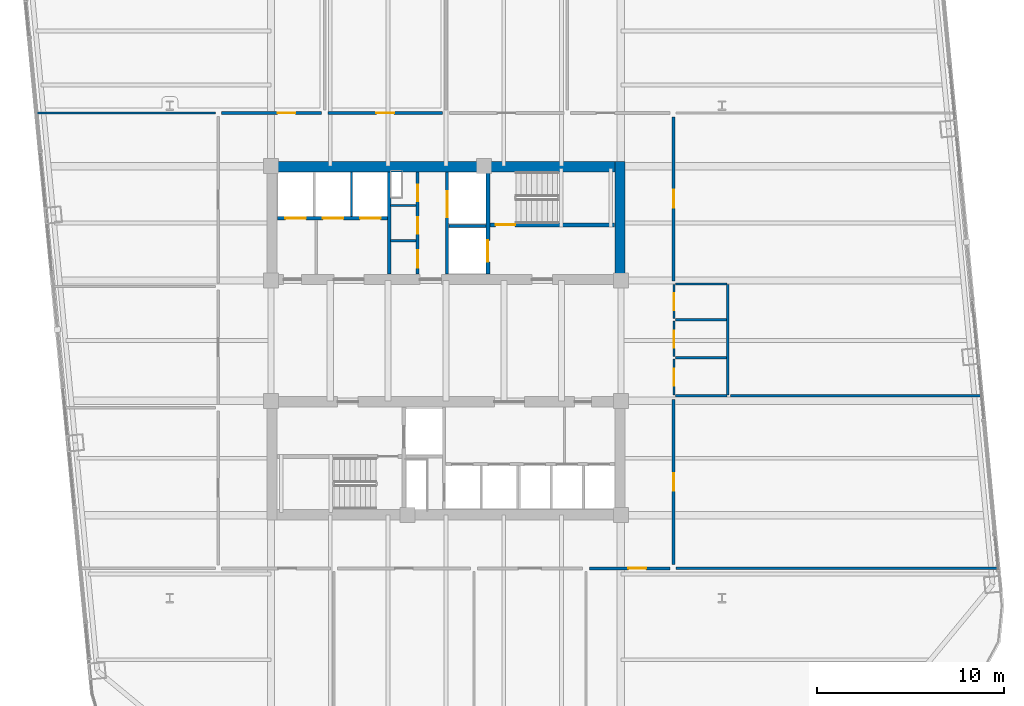
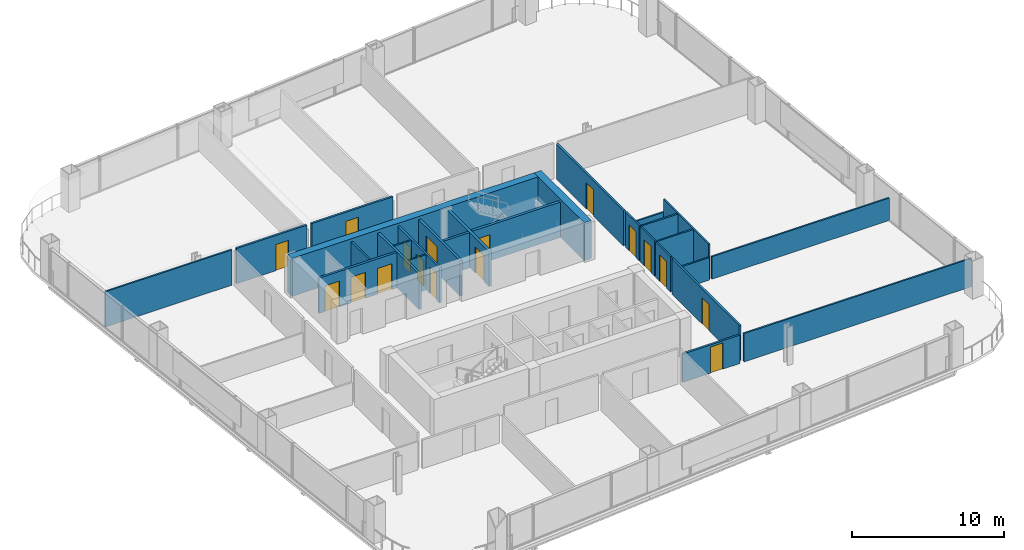
# One storey, part 24 of 28: 28 walls, 17 doors, 17 openings.
"""IFC4 building model written with IfcOpenShell, lengths in metres."""

from ifc_helpers import new_model, si_unit, direction, frame, frame_2d, origin, place, context, subcontext, project, spatial, rectangle, extrude, material, layer, layer_set, type_object, element, fill, save


model = new_model("IFC4")

# Units and contexts
model_context = context("Model", 3, precision=1e-05, world=origin(), true_north=direction((0.0, 1.0)))
body_context = subcontext(model_context, "Body", "Model", "MODEL_VIEW")
ifc_project = project(units=[si_unit("LENGTHUNIT", "METRE"), si_unit("AREAUNIT", "SQUARE_METRE"), si_unit("VOLUMEUNIT", "CUBIC_METRE"), si_unit("PLANEANGLEUNIT", "RADIAN"), si_unit("MASSUNIT", "GRAM", prefix="KILO")], contexts=[model_context])

# Site, building, storey
site_placement = place(None, origin())
site = spatial("IfcSite", under=ifc_project, at=site_placement, CompositionType="ELEMENT")
building_placement = place(site_placement, origin())
building = spatial("IfcBuilding", under=site, at=building_placement, Name="Qhalaya Broadcast Tower", CompositionType="ELEMENT")
storey_placement = place(building_placement, frame((0.0, 0.0, 90.800048828125)))
storey = spatial("IfcBuildingStorey", under=building, at=storey_placement, Name="L26", CompositionType="ELEMENT", Elevation=90.800048828125)

# Wall, openings, doors
ifc_material_1 = material(Name="Gypsum Acoustic Partition")
ifc_layer_1 = layer(ifc_material_1, 0.14990234375, Name="Gypsum Acoustic Partition")
ifc_layer_set_1 = layer_set([ifc_layer_1], Name="Gypsum Acoustic Partition")
wall_type_1 = type_object("IfcWallType", Name="Corridor & Tenancy Acoustic Partition 150", PredefinedType="PARTITIONING", material=ifc_layer_set_1)
wall_1_placement = place(storey_placement, frame((-1.52001953125, 4.169921875, 0.0), z_axis=(0.0, 0.0, 1.0), x_axis=(0.0, 1.0, 0.0)))
wall_1 = element("IfcWall", 1, at=wall_1_placement, inside=storey, type_object=wall_type_1, Name="L26 Partition Wall NCW-SVL", PredefinedType="PARTITIONING", context=body_context, shape_type="SweptSolid", body=[
    extrude(rectangle(XDim=5.4599609375, YDim=0.14990234375, at=frame_2d((2.72998046875, 0.0))), origin(), (0.0, 0.0, 1.0), 2.829833984375),
])
opening_1_placement = place(wall_1_placement, frame((3.89990234375, 0.0, 0.0)))
opening_1 = element("IfcOpeningElement", 2, at=opening_1_placement, cuts=wall_1, Name="Opening D06", PredefinedType="OPENING", context=body_context, shape_type="SweptSolid", body=[
    extrude(rectangle(XDim=0.89990234375, YDim=2.050048828125, at=frame_2d((0.449951171875, 1.02490234375))), frame((0.0, 0.0869140625, 0.0), z_axis=(0.0, -1.0, 0.0), x_axis=(1.0, 0.0, 0.0)), (0.0, 0.0, 1.0), 0.173828125),
])
opening_2_placement = place(wall_1_placement, frame((2.14990234375, 0.0, 0.0)))
opening_2 = element("IfcOpeningElement", 3, at=opening_2_placement, cuts=wall_1, Name="Opening D06", PredefinedType="OPENING", context=body_context, shape_type="SweptSolid", body=[
    extrude(rectangle(XDim=0.89990234375, YDim=2.050048828125, at=frame_2d((0.449951171875, 1.02490234375))), frame((0.0, 0.0869140625, 0.0), z_axis=(0.0, -1.0, 0.0), x_axis=(1.0, 0.0, 0.0)), (0.0, 0.0, 1.0), 0.173828125),
])
opening_3_placement = place(wall_1_placement, frame((0.35009765625, 0.0, 0.0)))
opening_3 = element("IfcOpeningElement", 4, at=opening_3_placement, cuts=wall_1, Name="Opening D12", PredefinedType="OPENING", context=body_context, shape_type="SweptSolid", body=[
    extrude(rectangle(XDim=0.919921875, YDim=2.10009765625, at=frame_2d((0.4599609375, 1.050048828125))), frame((0.0, 0.0869140625, 0.0), z_axis=(0.0, -1.0, 0.0), x_axis=(1.0, 0.0, 0.0)), (0.0, 0.0, 1.0), 0.173828125),
])
ifc_material_2 = material(Name="Timber Veneer Acoustic Door", Category="wood")
door_type_1 = type_object("IfcDoorType", Name="Accessible WC & Restroom Door D12", OperationType="NOTDEFINED", PredefinedType="DOOR", material=ifc_material_2)
door_1_placement = place(opening_3_placement, origin())
door_1 = element("IfcDoor", 5, at=door_1_placement, inside=storey, type_object=door_type_1, Name="L26 Door D-NCWC", OperationType="SINGLE_SWING_RIGHT", OverallHeight=2.10009765625, OverallWidth=0.919921875, PredefinedType="DOOR", context=body_context, shape_type="SweptSolid", body=[
    extrude(rectangle(XDim=0.919921875, YDim=2.10009765625, at=frame_2d((0.4599609375, 1.050048828125))), frame((0.0, 0.02490234375, 0.0), z_axis=(0.0, -1.0, 0.0), x_axis=(1.0, 0.0, 0.0)), (0.0, 0.0, 1.0), 0.050048828125),
])
fill(opening_3, door_1)
ifc_material_3 = material(Name="Fire-Rated Steel Door", Category="steel")
door_type_2 = type_object("IfcDoorType", Name="Riser & Electrical Shaft Access Door D06", OperationType="NOTDEFINED", PredefinedType="DOOR", material=ifc_material_3)
door_2_placement = place(opening_1_placement, origin())
door_2 = element("IfcDoor", 6, at=door_2_placement, inside=storey, type_object=door_type_2, Name="L26 Riser Shaft Access Door D-NRSR", OperationType="SINGLE_SWING_RIGHT", OverallHeight=2.050048828125, OverallWidth=0.89990234375, PredefinedType="DOOR", context=body_context, shape_type="SweptSolid", body=[
    extrude(rectangle(XDim=0.89990234375, YDim=2.050048828125, at=frame_2d((0.449951171875, 1.02490234375))), frame((0.0, 0.02490234375, 0.0), z_axis=(0.0, -1.0, 0.0), x_axis=(1.0, 0.0, 0.0)), (0.0, 0.0, 1.0), 0.050048828125),
])
fill(opening_1, door_2)
door_3_placement = place(opening_2_placement, origin())
door_3 = element("IfcDoor", 7, at=door_3_placement, inside=storey, type_object=door_type_2, Name="L26 Door D-NITR", OperationType="SINGLE_SWING_LEFT", OverallHeight=2.050048828125, OverallWidth=0.89990234375, PredefinedType="DOOR", context=body_context, shape_type="SweptSolid", body=[
    extrude(rectangle(XDim=0.89990234375, YDim=2.050048828125, at=frame_2d((0.449951171875, 1.02490234375))), frame((0.0, 0.02490234375, 0.0), z_axis=(0.0, -1.0, 0.0), x_axis=(1.0, 0.0, 0.0)), (0.0, 0.0, 1.0), 0.050048828125),
])
fill(opening_2, door_3)

# Wall, opening, door
wall_2_placement = place(storey_placement, frame((-12.02001953125, 12.800048828125, 0.0), z_axis=(0.0, 0.0, 1.0), x_axis=(1.0, 0.0, 0.0)))
wall_2 = element("IfcWall", 8, at=wall_2_placement, inside=storey, type_object=wall_type_1, Name="L26 Partition Wall W-COR-01", PredefinedType="PARTITIONING", context=body_context, shape_type="SweptSolid", body=[
    extrude(rectangle(XDim=5.340087890625, YDim=0.14990234375, at=frame_2d((2.669921875, 0.0))), origin(), (0.0, 0.0, 1.0), 2.829833984375),
])
opening_4_placement = place(wall_2_placement, frame((2.9951171875, 0.0, 0.0)))
opening_4 = element("IfcOpeningElement", 9, at=opening_4_placement, cuts=wall_2, Name="Opening D10", PredefinedType="OPENING", context=body_context, shape_type="SweptSolid", body=[
    extrude(rectangle(XDim=0.949951171875, YDim=2.10009765625, at=frame_2d((0.47509765625, 1.050048828125))), frame((0.0, 0.0869140625, 0.0), z_axis=(0.0, -1.0, 0.0), x_axis=(1.0, 0.0, 0.0)), (0.0, 0.0, 1.0), 0.173828125),
])
door_type_3 = type_object("IfcDoorType", Name="Cellular Office & Edit Booth Door D10", OperationType="NOTDEFINED", PredefinedType="DOOR", material=ifc_material_2)
door_4_placement = place(opening_4_placement, origin())
door_4 = element("IfcDoor", 10, at=door_4_placement, inside=storey, type_object=door_type_3, Name="L26 Door D-RM01", OperationType="SINGLE_SWING_RIGHT", OverallHeight=2.10009765625, OverallWidth=0.949951171875, PredefinedType="DOOR", context=body_context, shape_type="SweptSolid", body=[
    extrude(rectangle(XDim=0.949951171875, YDim=2.10009765625, at=frame_2d((0.47509765625, 1.050048828125))), frame((0.0, 0.02490234375, 0.0), z_axis=(0.0, -1.0, 0.0), x_axis=(1.0, 0.0, 0.0)), (0.0, 0.0, 1.0), 0.050048828125),
])
fill(opening_4, door_4)

wall_3_placement = place(storey_placement, frame((-6.320068359375, 12.800048828125, 0.0), z_axis=(0.0, 0.0, 1.0), x_axis=(1.0, 0.0, 0.0)))
wall_3 = element("IfcWall", 11, at=wall_3_placement, inside=storey, type_object=wall_type_1, Name="L26 Partition Wall W-COR-02", PredefinedType="PARTITIONING", context=body_context, shape_type="SweptSolid", body=[
    extrude(rectangle(XDim=6.14013671875, YDim=0.14990234375, at=frame_2d((3.070068359375, 0.0))), origin(), (0.0, 0.0, 1.0), 2.829833984375),
])
opening_5_placement = place(wall_3_placement, frame((2.594970703125, 0.0, 0.0)))
opening_5 = element("IfcOpeningElement", 12, at=opening_5_placement, cuts=wall_3, Name="Opening D10", PredefinedType="OPENING", context=body_context, shape_type="SweptSolid", body=[
    extrude(rectangle(XDim=0.949951171875, YDim=2.10009765625, at=frame_2d((0.47509765625, 1.050048828125))), frame((0.0, 0.0869140625, 0.0), z_axis=(0.0, -1.0, 0.0), x_axis=(1.0, 0.0, 0.0)), (0.0, 0.0, 1.0), 0.173828125),
])
door_5_placement = place(opening_5_placement, origin())
door_5 = element("IfcDoor", 13, at=door_5_placement, inside=storey, type_object=door_type_3, Name="L26 Door D-RM02", OperationType="SINGLE_SWING_LEFT", OverallHeight=2.10009765625, OverallWidth=0.949951171875, PredefinedType="DOOR", context=body_context, shape_type="SweptSolid", body=[
    extrude(rectangle(XDim=0.949951171875, YDim=2.10009765625, at=frame_2d((0.47509765625, 1.050048828125))), frame((0.0, 0.02490234375, 0.0), z_axis=(0.0, -1.0, 0.0), x_axis=(1.0, 0.0, 0.0)), (0.0, 0.0, 1.0), 0.050048828125),
])
fill(opening_5, door_5)

wall_4_placement = place(storey_placement, frame((7.679931640625, -11.60009765625, 0.0), z_axis=(0.0, 0.0, 1.0), x_axis=(1.0, 0.0, 0.0)))
wall_4 = element("IfcWall", 14, at=wall_4_placement, inside=storey, type_object=wall_type_1, Name="L26 Partition Wall W-COR-08", PredefinedType="PARTITIONING", context=body_context, shape_type="SweptSolid", body=[
    extrude(rectangle(XDim=4.340087890625, YDim=0.14990234375, at=frame_2d((2.169921875, 0.0))), origin(), (0.0, 0.0, 1.0), 2.27392578125),
])
opening_6_placement = place(wall_4_placement, frame((2.094970703125, 0.0, 0.0)))
opening_6 = element("IfcOpeningElement", 15, at=opening_6_placement, cuts=wall_4, Name="Opening D10", PredefinedType="OPENING", context=body_context, shape_type="SweptSolid", body=[
    extrude(rectangle(XDim=0.949951171875, YDim=2.10009765625, at=frame_2d((0.47509765625, 1.050048828125))), frame((0.0, 0.0869140625, 0.0), z_axis=(0.0, -1.0, 0.0), x_axis=(1.0, 0.0, 0.0)), (0.0, 0.0, 1.0), 0.173828125),
])
door_6_placement = place(opening_6_placement, origin())
door_6 = element("IfcDoor", 16, at=door_6_placement, inside=storey, type_object=door_type_3, Name="L26 Door D-RM08", OperationType="SINGLE_SWING_LEFT", OverallHeight=2.10009765625, OverallWidth=0.949951171875, PredefinedType="DOOR", context=body_context, shape_type="SweptSolid", body=[
    extrude(rectangle(XDim=0.949951171875, YDim=2.10009765625, at=frame_2d((0.47509765625, 1.050048828125))), frame((0.0, 0.02490234375, 0.0), z_axis=(0.0, -1.0, 0.0), x_axis=(1.0, 0.0, 0.0)), (0.0, 0.0, 1.0), 0.050048828125),
])
fill(opening_6, door_6)

wall_5_placement = place(storey_placement, frame((12.199951171875, -11.39990234375, 0.0), z_axis=(0.0, 0.0, 1.0), x_axis=(0.0, 1.0, 0.0)))
wall_5 = element("IfcWall", 17, at=wall_5_placement, inside=storey, type_object=wall_type_1, Name="L26 Partition Wall W-COR-12", PredefinedType="PARTITIONING", context=body_context, shape_type="SweptSolid", body=[
    extrude(rectangle(XDim=8.83984375, YDim=0.14990234375, at=frame_2d((4.419921875, 0.0))), origin(), (0.0, 0.0, 1.0), 2.829833984375),
])
opening_7_placement = place(wall_5_placement, frame((3.945068359375, 0.0, 0.0)))
opening_7 = element("IfcOpeningElement", 18, at=opening_7_placement, cuts=wall_5, Name="Opening D10", PredefinedType="OPENING", context=body_context, shape_type="SweptSolid", body=[
    extrude(rectangle(XDim=0.949951171875, YDim=2.10009765625, at=frame_2d((0.47509765625, 1.050048828125))), frame((0.0, 0.0869140625, 0.0), z_axis=(0.0, -1.0, 0.0), x_axis=(1.0, 0.0, 0.0)), (0.0, 0.0, 1.0), 0.173828125),
])
door_7_placement = place(opening_7_placement, origin())
door_7 = element("IfcDoor", 19, at=door_7_placement, inside=storey, type_object=door_type_3, Name="L26 Door D-RM12", OperationType="SINGLE_SWING_LEFT", OverallHeight=2.10009765625, OverallWidth=0.949951171875, PredefinedType="DOOR", context=body_context, shape_type="SweptSolid", body=[
    extrude(rectangle(XDim=0.949951171875, YDim=2.10009765625, at=frame_2d((0.47509765625, 1.050048828125))), frame((0.0, 0.02490234375, 0.0), z_axis=(0.0, -1.0, 0.0), x_axis=(1.0, 0.0, 0.0)), (0.0, 0.0, 1.0), 0.050048828125),
])
fill(opening_7, door_7)

wall_6_placement = place(storey_placement, frame((12.199951171875, 3.800048828125, 0.0), z_axis=(0.0, 0.0, 1.0), x_axis=(0.0, 1.0, 0.0)))
wall_6 = element("IfcWall", 20, at=wall_6_placement, inside=storey, type_object=wall_type_1, Name="L26 Partition Wall W-COR-13", PredefinedType="PARTITIONING", context=body_context, shape_type="SweptSolid", body=[
    extrude(rectangle(XDim=8.800048828125, YDim=0.14990234375, at=frame_2d((4.39990234375, 0.0))), origin(), (0.0, 0.0, 1.0), 2.829833984375),
])
opening_8_placement = place(wall_6_placement, frame((3.925048828125, 0.0, 0.0)))
opening_8 = element("IfcOpeningElement", 21, at=opening_8_placement, cuts=wall_6, Name="Opening D10", PredefinedType="OPENING", context=body_context, shape_type="SweptSolid", body=[
    extrude(rectangle(XDim=0.949951171875, YDim=2.10009765625, at=frame_2d((0.47509765625, 1.050048828125))), frame((0.0, 0.0869140625, 0.0), z_axis=(0.0, -1.0, 0.0), x_axis=(1.0, 0.0, 0.0)), (0.0, 0.0, 1.0), 0.173828125),
])
door_8_placement = place(opening_8_placement, origin())
door_8 = element("IfcDoor", 22, at=door_8_placement, inside=storey, type_object=door_type_3, Name="L26 Door D-RM13", OperationType="SINGLE_SWING_RIGHT", OverallHeight=2.10009765625, OverallWidth=0.949951171875, PredefinedType="DOOR", context=body_context, shape_type="SweptSolid", body=[
    extrude(rectangle(XDim=0.949951171875, YDim=2.10009765625, at=frame_2d((0.47509765625, 1.050048828125))), frame((0.0, 0.02490234375, 0.0), z_axis=(0.0, -1.0, 0.0), x_axis=(1.0, 0.0, 0.0)), (0.0, 0.0, 1.0), 0.050048828125),
])
fill(opening_8, door_8)

ifc_material_4 = material(Name="Concrete C50/60", Category="concrete")
ifc_layer_2 = layer(ifc_material_4, 0.199951171875, Name="Concrete C50/60")
ifc_layer_set_2 = layer_set([ifc_layer_2], Name="Concrete C50/60")
wall_type_2 = type_object("IfcWallType", Name="Load-Bearing Stair Shaft Wall 200", PredefinedType="SHEAR", material=ifc_layer_set_2)
wall_7_placement = place(storey_placement, frame((2.360107421875, 6.804931640625, 0.0), z_axis=(0.0, 0.0, 1.0), x_axis=(1.0, 0.0, 0.0)))
wall_7 = element("IfcWall", 23, at=wall_7_placement, inside=storey, type_object=wall_type_2, Name="L26 Stair Core Shear Wall NCW-ST1", PredefinedType="SHEAR", context=body_context, shape_type="SweptSolid", body=[
    extrude(rectangle(XDim=6.669921875, YDim=0.199951171875, at=frame_2d((3.3349609375, 0.0))), origin(), (0.0, 0.0, 1.0), 2.829833984375),
])
opening_9_placement = place(wall_7_placement, frame((0.300048828125, 0.0, 0.0)))
opening_9 = element("IfcOpeningElement", 24, at=opening_9_placement, cuts=wall_7, Name="Opening D03", PredefinedType="OPENING", context=body_context, shape_type="SweptSolid", body=[
    extrude(rectangle(XDim=1.050048828125, YDim=2.080078125, at=frame_2d((0.52490234375, 1.0400390625))), frame((0.0, 0.112060546875, 0.0), z_axis=(0.0, -1.0, 0.0), x_axis=(1.0, 0.0, 0.0)), (0.0, 0.0, 1.0), 0.223876953125),
])
door_type_4 = type_object("IfcDoorType", Name="Core Stair Protected Fire Door D03", OperationType="NOTDEFINED", PredefinedType="DOOR", material=ifc_material_3)
door_9_placement = place(opening_9_placement, origin())
door_9 = element("IfcDoor", 25, at=door_9_placement, inside=storey, type_object=door_type_4, Name="L26 Door D-NST1", OperationType="SINGLE_SWING_LEFT", OverallHeight=2.080078125, OverallWidth=1.050048828125, PredefinedType="DOOR", context=body_context, shape_type="SweptSolid", body=[
    extrude(rectangle(XDim=1.050048828125, YDim=2.080078125, at=frame_2d((0.52490234375, 1.0400390625))), frame((0.0, 0.02490234375, 0.0), z_axis=(0.0, -1.0, 0.0), x_axis=(1.0, 0.0, 0.0)), (0.0, 0.0, 1.0), 0.050048828125),
])
fill(opening_9, door_9)

wall_8_placement = place(storey_placement, frame((2.25, 4.169921875, 0.0), z_axis=(0.0, 0.0, 1.0), x_axis=(0.0, 1.0, 0.0)))
wall_8 = element("IfcWall", 26, at=wall_8_placement, inside=storey, type_object=wall_type_2, Name="L26 Stair Core Shear Wall NCW-FF", PredefinedType="SHEAR", context=body_context, shape_type="SweptSolid", body=[
    extrude(rectangle(XDim=5.4599609375, YDim=0.199951171875, at=frame_2d((2.72998046875, 0.0))), origin(), (0.0, 0.0, 1.0), 2.829833984375),
])
opening_10_placement = place(wall_8_placement, frame((0.64990234375, 0.0, 0.0)))
opening_10 = element("IfcOpeningElement", 27, at=opening_10_placement, cuts=wall_8, Name="Opening LD2", PredefinedType="OPENING", context=body_context, shape_type="SweptSolid", body=[
    extrude(rectangle(XDim=1.14990234375, YDim=2.080078125, at=frame_2d((0.574951171875, 1.0400390625))), frame((0.0, 0.112060546875, 0.0), z_axis=(0.0, -1.0, 0.0), x_axis=(1.0, 0.0, 0.0)), (0.0, 0.0, 1.0), 0.223876953125),
])
ifc_material_5 = material(Name="Brushed Stainless Steel Lift Door", Category="steel")
door_type_5 = type_object("IfcDoorType", Name="Firefighting Lift Sliding Landing Door LD2", OperationType="DOUBLE_DOOR_SLIDING", PredefinedType="DOOR", material=ifc_material_5)
door_10_placement = place(opening_10_placement, origin())
door_10 = element("IfcDoor", 28, at=door_10_placement, inside=storey, type_object=door_type_5, Name="L26 Door LD-FF1", OperationType="DOUBLE_DOOR_SLIDING", OverallHeight=2.080078125, OverallWidth=1.14990234375, PredefinedType="DOOR", context=body_context, shape_type="SweptSolid", body=[
    extrude(rectangle(XDim=1.14990234375, YDim=2.080078125, at=frame_2d((0.574951171875, 1.0400390625))), frame((0.0, 0.02490234375, 0.0), z_axis=(0.0, -1.0, 0.0), x_axis=(1.0, 0.0, 0.0)), (0.0, 0.0, 1.0), 0.050048828125),
])
fill(opening_10, door_10)

# Walls
ifc_material_6 = material(Name="Concrete C60/75", Category="concrete")
ifc_layer_3 = layer(ifc_material_6, 0.550048828125, Name="Concrete C60/75")
ifc_layer_set_3 = layer_set([ifc_layer_3], Name="Concrete C60/75")
wall_type_3 = type_object("IfcWallType", Name="Lower Split-Core Shear Wall 550", PredefinedType="SHEAR", material=ifc_layer_set_3)
wall_9_placement = place(storey_placement, frame((-9.60009765625, 9.925048828125, 0.0), z_axis=(0.0, 0.0, 1.0), x_axis=(1.0, 0.0, 0.0)))
element("IfcWall", 29, at=wall_9_placement, inside=storey, type_object=wall_type_3, Name="L26 Split-Core Shear Wall CW-NN", PredefinedType="SHEAR", context=body_context, shape_type="SweptSolid", body=[
    extrude(rectangle(XDim=19.2001953125, YDim=0.550048828125, at=frame_2d((9.60009765625, 0.0))), origin(), (0.0, 0.0, 1.0), 3.050048828125),
])
wall_10_placement = place(storey_placement, frame((9.324951171875, 3.60009765625, 0.0), z_axis=(0.0, 0.0, 1.0), x_axis=(0.0, 1.0, 0.0)))
element("IfcWall", 30, at=wall_10_placement, inside=storey, type_object=wall_type_3, Name="L26 Split-Core Shear Wall CW-NE", PredefinedType="SHEAR", context=body_context, shape_type="SweptSolid", body=[
    extrude(rectangle(XDim=6.599853515625, YDim=0.550048828125, at=frame_2d((3.2998046875, 0.0))), origin(), (0.0, 0.0, 1.0), 3.050048828125),
])
ifc_layer_4 = layer(ifc_material_1, 0.1201171875, Name="Gypsum Acoustic Partition")
ifc_layer_set_4 = layer_set([ifc_layer_4], Name="Gypsum Acoustic Partition")
wall_type_4 = type_object("IfcWallType", Name="Office, Booth & Sanitary Partition 120", PredefinedType="PARTITIONING", material=ifc_layer_set_4)
for number, where, z_axis, x_axis, name in (
    (31, (-2.9599609375, 5.949951171875, 0.0), (0.0, 0.0, 1.0), (1.0, 0.0, 0.0), "L26 Partition Wall NCW-VB1"),
    (32, (-2.9599609375, 7.85009765625, 0.0), (0.0, 0.0, 1.0), (1.0, 0.0, 0.0), "L26 Partition Wall NCW-VB2"),
):
    element("IfcWall", number, at=place(storey_placement, frame(where, z_axis=z_axis, x_axis=x_axis)), inside=storey, type_object=wall_type_4, Name=name, PredefinedType="PARTITIONING", context=body_context, shape_type="SweptSolid", body=[
        extrude(rectangle(XDim=1.35986328125, YDim=0.1201171875, at=frame_2d((0.679931640625, 0.0))), origin(), (0.0, 0.0, 1.0), 2.829833984375),
    ])
wall_11_placement = place(storey_placement, frame((-5.06005859375, 7.25, 0.0), z_axis=(0.0, 0.0, 1.0), x_axis=(0.0, 1.0, 0.0)))
element("IfcWall", 33, at=wall_11_placement, inside=storey, type_object=wall_type_4, Name="L26 Partition Wall NCW-PD2", PredefinedType="PARTITIONING", context=body_context, shape_type="SweptSolid", body=[
    extrude(rectangle(XDim=2.3798828125, YDim=0.1201171875, at=frame_2d((1.18994140625, 0.0))), origin(), (0.0, 0.0, 1.0), 2.829833984375),
])

# Wall, opening, door
wall_12_placement = place(storey_placement, frame((12.219970703125, -2.320068359375, 0.0), z_axis=(0.0, 0.0, 1.0), x_axis=(0.0, 1.0, 0.0)))
wall_12 = element("IfcWall", 34, at=wall_12_placement, inside=storey, type_object=wall_type_4, Name="L26 Partition Wall W-WCWA", PredefinedType="PARTITIONING", context=body_context, shape_type="SweptSolid", body=[
    extrude(rectangle(XDim=1.940185546875, YDim=0.1201171875, at=frame_2d((0.97021484375, 0.0))), origin(), (0.0, 0.0, 1.0), 2.829833984375),
])
opening_11_placement = place(wall_12_placement, frame((0.4951171875, 0.0, 0.0)))
opening_11 = element("IfcOpeningElement", 35, at=opening_11_placement, cuts=wall_12, Name="Opening D12", PredefinedType="OPENING", context=body_context, shape_type="SweptSolid", body=[
    extrude(rectangle(XDim=0.919921875, YDim=2.10009765625, at=frame_2d((0.4599609375, 1.050048828125))), frame((0.0, 0.072021484375, 0.0), z_axis=(0.0, -1.0, 0.0), x_axis=(1.0, 0.0, 0.0)), (0.0, 0.0, 1.0), 0.14404296875),
])
door_11_placement = place(opening_11_placement, origin())
door_11 = element("IfcDoor", 36, at=door_11_placement, inside=storey, type_object=door_type_1, Name="L26 Door D-WCA", OperationType="SINGLE_SWING_LEFT", OverallHeight=2.10009765625, OverallWidth=0.919921875, PredefinedType="DOOR", context=body_context, shape_type="SweptSolid", body=[
    extrude(rectangle(XDim=0.919921875, YDim=2.10009765625, at=frame_2d((0.4599609375, 1.050048828125))), frame((0.0, 0.02490234375, 0.0), z_axis=(0.0, -1.0, 0.0), x_axis=(1.0, 0.0, 0.0)), (0.0, 0.0, 1.0), 0.050048828125),
])
fill(opening_11, door_11)

wall_13_placement = place(storey_placement, frame((12.219970703125, -0.25, 0.0), z_axis=(0.0, 0.0, 1.0), x_axis=(0.0, 1.0, 0.0)))
wall_13 = element("IfcWall", 37, at=wall_13_placement, inside=storey, type_object=wall_type_4, Name="L26 Partition Wall W-WCWM", PredefinedType="PARTITIONING", context=body_context, shape_type="SweptSolid", body=[
    extrude(rectangle(XDim=1.89990234375, YDim=0.1201171875, at=frame_2d((0.949951171875, 0.0))), origin(), (0.0, 0.0, 1.0), 2.829833984375),
])
opening_12_placement = place(wall_13_placement, frame((0.47509765625, 0.0, 0.0)))
opening_12 = element("IfcOpeningElement", 38, at=opening_12_placement, cuts=wall_13, Name="Opening D12", PredefinedType="OPENING", context=body_context, shape_type="SweptSolid", body=[
    extrude(rectangle(XDim=0.919921875, YDim=2.10009765625, at=frame_2d((0.4599609375, 1.050048828125))), frame((0.0, 0.072021484375, 0.0), z_axis=(0.0, -1.0, 0.0), x_axis=(1.0, 0.0, 0.0)), (0.0, 0.0, 1.0), 0.14404296875),
])
door_12_placement = place(opening_12_placement, origin())
door_12 = element("IfcDoor", 39, at=door_12_placement, inside=storey, type_object=door_type_1, Name="L26 Door D-WCM", OperationType="SINGLE_SWING_RIGHT", OverallHeight=2.10009765625, OverallWidth=0.919921875, PredefinedType="DOOR", context=body_context, shape_type="SweptSolid", body=[
    extrude(rectangle(XDim=0.919921875, YDim=2.10009765625, at=frame_2d((0.4599609375, 1.050048828125))), frame((0.0, 0.02490234375, 0.0), z_axis=(0.0, -1.0, 0.0), x_axis=(1.0, 0.0, 0.0)), (0.0, 0.0, 1.0), 0.050048828125),
])
fill(opening_12, door_12)

wall_14_placement = place(storey_placement, frame((12.219970703125, 1.780029296875, 0.0), z_axis=(0.0, 0.0, 1.0), x_axis=(0.0, 1.0, 0.0)))
wall_14 = element("IfcWall", 40, at=wall_14_placement, inside=storey, type_object=wall_type_4, Name="L26 Partition Wall W-WCWF", PredefinedType="PARTITIONING", context=body_context, shape_type="SweptSolid", body=[
    extrude(rectangle(XDim=1.830078125, YDim=0.1201171875, at=frame_2d((0.9150390625, 0.0))), origin(), (0.0, 0.0, 1.0), 2.829833984375),
])
opening_13_placement = place(wall_14_placement, frame((0.43994140625, 0.0, 0.0)))
opening_13 = element("IfcOpeningElement", 41, at=opening_13_placement, cuts=wall_14, Name="Opening D12", PredefinedType="OPENING", context=body_context, shape_type="SweptSolid", body=[
    extrude(rectangle(XDim=0.919921875, YDim=2.10009765625, at=frame_2d((0.4599609375, 1.050048828125))), frame((0.0, 0.072021484375, 0.0), z_axis=(0.0, -1.0, 0.0), x_axis=(1.0, 0.0, 0.0)), (0.0, 0.0, 1.0), 0.14404296875),
])
door_13_placement = place(opening_13_placement, origin())
door_13 = element("IfcDoor", 42, at=door_13_placement, inside=storey, type_object=door_type_1, Name="L26 Door D-WCF", OperationType="SINGLE_SWING_LEFT", OverallHeight=2.10009765625, OverallWidth=0.919921875, PredefinedType="DOOR", context=body_context, shape_type="SweptSolid", body=[
    extrude(rectangle(XDim=0.919921875, YDim=2.10009765625, at=frame_2d((0.4599609375, 1.050048828125))), frame((0.0, 0.02490234375, 0.0), z_axis=(0.0, -1.0, 0.0), x_axis=(1.0, 0.0, 0.0)), (0.0, 0.0, 1.0), 0.050048828125),
])
fill(opening_13, door_13)

# Walls
wall_15_placement = place(storey_placement, frame((15.10009765625, -2.320068359375, 0.0), z_axis=(0.0, 0.0, 1.0), x_axis=(0.0, 1.0, 0.0)))
element("IfcWall", 43, at=wall_15_placement, inside=storey, type_object=wall_type_4, Name="L26 Partition Wall W-WCE", PredefinedType="PARTITIONING", context=body_context, shape_type="SweptSolid", body=[
    extrude(rectangle(XDim=5.93017578125, YDim=0.1201171875, at=frame_2d((2.965087890625, 0.0))), origin(), (0.0, 0.0, 1.0), 2.829833984375),
])
for number, where, z_axis, x_axis, name in (
    (44, (12.31005859375, -2.35009765625, 0.0), (0.0, 0.0, 1.0), (1.0, 0.0, 0.0), "L26 Partition Wall W-WCS"),
    (45, (12.31005859375, 3.639892578125, 0.0), (0.0, 0.0, 1.0), (1.0, 0.0, 0.0), "L26 Partition Wall W-WCN"),
):
    element("IfcWall", number, at=place(storey_placement, frame(where, z_axis=z_axis, x_axis=x_axis)), inside=storey, type_object=wall_type_4, Name=name, PredefinedType="PARTITIONING", context=body_context, shape_type="SweptSolid", body=[
        extrude(rectangle(XDim=2.760009765625, YDim=0.1201171875, at=frame_2d((1.3798828125, 0.0))), origin(), (0.0, 0.0, 1.0), 1.799072265625),
    ])
for number, where, z_axis, x_axis, name in (
    (46, (12.31005859375, -0.320068359375, 0.0), (0.0, 0.0, 1.0), (1.0, 0.0, 0.0), "L26 Partition Wall W-WCD1"),
    (47, (12.31005859375, 1.719970703125, 0.0), (0.0, 0.0, 1.0), (1.0, 0.0, 0.0), "L26 Partition Wall W-WCD2"),
):
    element("IfcWall", number, at=place(storey_placement, frame(where, z_axis=z_axis, x_axis=x_axis)), inside=storey, type_object=wall_type_4, Name=name, PredefinedType="PARTITIONING", context=body_context, shape_type="SweptSolid", body=[
        extrude(rectangle(XDim=2.719970703125, YDim=0.1201171875, at=frame_2d((1.35986328125, 0.0))), origin(), (0.0, 0.0, 1.0), 2.829833984375),
    ])
wall_16_placement = place(storey_placement, frame((-21.94482421875, 12.800048828125, 0.0), z_axis=(0.0, 0.0, 1.0), x_axis=(1.0, 0.0, 0.0)))
element("IfcWall", 48, at=wall_16_placement, inside=storey, type_object=wall_type_4, Name="L26 Partition Wall W-BNDW1", PredefinedType="PARTITIONING", context=body_context, shape_type="SweptSolid", body=[
    extrude(rectangle(XDim=9.604736328125, YDim=0.1201171875, at=frame_2d((4.80224609375, 0.0))), origin(), (0.0, 0.0, 1.0), 2.829833984375),
])
wall_17_placement = place(storey_placement, frame((12.340087890625, -11.60009765625, 0.0), z_axis=(0.0, 0.0, 1.0), x_axis=(1.0, 0.0, 0.0)))
element("IfcWall", 49, at=wall_17_placement, inside=storey, type_object=wall_type_4, Name="L26 Partition Wall W-BNDE2", PredefinedType="PARTITIONING", context=body_context, shape_type="SweptSolid", body=[
    extrude(rectangle(XDim=17.2509765625, YDim=0.1201171875, at=frame_2d((8.62548828125, 0.0))), origin(), (0.0, 0.0, 1.0), 2.27392578125),
])
wall_18_placement = place(storey_placement, frame((15.239990234375, -2.35009765625, 0.0), z_axis=(0.0, 0.0, 1.0), x_axis=(1.0, 0.0, 0.0)))
element("IfcWall", 50, at=wall_18_placement, inside=storey, type_object=wall_type_4, Name="L26 Partition Wall W-DIVE-WC", PredefinedType="PARTITIONING", context=body_context, shape_type="SweptSolid", body=[
    extrude(rectangle(XDim=13.46044921875, YDim=0.1201171875, at=frame_2d((6.730224609375, 0.0))), origin(), (0.0, 0.0, 1.0), 1.799072265625),
])

# Wall, opening, door
ifc_layer_5 = layer(ifc_material_1, 0.175048828125, Name="Gypsum Acoustic Partition")
ifc_layer_set_5 = layer_set([ifc_layer_5], Name="Gypsum Acoustic Partition")
wall_type_5 = type_object("IfcWallType", Name="Shaft & Riser Fire Partition 175", PredefinedType="PARTITIONING", material=ifc_layer_set_5)
wall_19_placement = place(storey_placement, frame((0.06005859375, 4.169921875, 0.0), z_axis=(0.0, 0.0, 1.0), x_axis=(0.0, 1.0, 0.0)))
wall_19 = element("IfcWall", 51, at=wall_19_placement, inside=storey, type_object=wall_type_5, Name="L26 Partition Wall NCW-SVW", PredefinedType="PARTITIONING", context=body_context, shape_type="SweptSolid", body=[
    extrude(rectangle(XDim=5.4599609375, YDim=0.175048828125, at=frame_2d((2.72998046875, 0.0))), origin(), (0.0, 0.0, 1.0), 2.829833984375),
])
opening_14_placement = place(wall_19_placement, frame((3.050048828125, 0.0, 0.0)))
opening_14 = element("IfcOpeningElement", 52, at=opening_14_placement, cuts=wall_19, Name="Opening LD3", PredefinedType="OPENING", context=body_context, shape_type="SweptSolid", body=[
    extrude(rectangle(XDim=1.39990234375, YDim=2.1201171875, at=frame_2d((0.699951171875, 1.06005859375))), frame((0.0, 0.099609375, 0.0), z_axis=(0.0, -1.0, 0.0), x_axis=(1.0, 0.0, 0.0)), (0.0, 0.0, 1.0), 0.198974609375),
])
door_type_6 = type_object("IfcDoorType", Name="Service Lift Wide Sliding Landing Door LD3", OperationType="DOUBLE_DOOR_SLIDING", PredefinedType="DOOR", material=ifc_material_5)
door_14_placement = place(opening_14_placement, origin())
door_14 = element("IfcDoor", 53, at=door_14_placement, inside=storey, type_object=door_type_6, Name="L26 Door LD-SV1", OperationType="DOUBLE_DOOR_SLIDING", OverallHeight=2.1201171875, OverallWidth=1.39990234375, PredefinedType="DOOR", context=body_context, shape_type="SweptSolid", body=[
    extrude(rectangle(XDim=1.39990234375, YDim=2.1201171875, at=frame_2d((0.699951171875, 1.06005859375))), frame((0.0, 0.02490234375, 0.0), z_axis=(0.0, -1.0, 0.0), x_axis=(1.0, 0.0, 0.0)), (0.0, 0.0, 1.0), 0.050048828125),
])
fill(opening_14, door_14)

# Walls
wall_20_placement = place(storey_placement, frame((0.159912109375, 6.75, 0.0), z_axis=(0.0, 0.0, 1.0), x_axis=(1.0, 0.0, 0.0)))
element("IfcWall", 54, at=wall_20_placement, inside=storey, type_object=wall_type_5, Name="L26 Partition Wall NCW-SVM", PredefinedType="PARTITIONING", context=body_context, shape_type="SweptSolid", body=[
    extrude(rectangle(XDim=1.97998046875, YDim=0.175048828125, at=frame_2d((0.989990234375, 0.0))), origin(), (0.0, 0.0, 1.0), 2.829833984375),
])
wall_21_placement = place(storey_placement, frame((-3.0400390625, 4.169921875, 0.0), z_axis=(0.0, 0.0, 1.0), x_axis=(0.0, 1.0, 0.0)))
element("IfcWall", 55, at=wall_21_placement, inside=storey, type_object=wall_type_5, Name="L26 Partition Wall NCW-VRW", PredefinedType="PARTITIONING", context=body_context, shape_type="SweptSolid", body=[
    extrude(rectangle(XDim=5.4599609375, YDim=0.175048828125, at=frame_2d((2.72998046875, 0.0))), origin(), (0.0, 0.0, 1.0), 2.829833984375),
])

# Wall, openings, doors
wall_22_placement = place(storey_placement, frame((-9.030029296875, 7.159912109375, 0.0), z_axis=(0.0, 0.0, 1.0), x_axis=(1.0, 0.0, 0.0)))
wall_22 = element("IfcWall", 56, at=wall_22_placement, inside=storey, type_object=wall_type_5, Name="L26 Partition Wall NCW-PLB", PredefinedType="PARTITIONING", context=body_context, shape_type="SweptSolid", body=[
    extrude(rectangle(XDim=5.909912109375, YDim=0.175048828125, at=frame_2d((2.955078125, 0.0))), origin(), (0.0, 0.0, 1.0), 2.829833984375),
])
opening_15_placement = place(wall_22_placement, frame((0.429931640625, 0.0, 0.0)))
opening_15 = element("IfcOpeningElement", 57, at=opening_15_placement, cuts=wall_22, Name="Opening LD1", PredefinedType="OPENING", context=body_context, shape_type="SweptSolid", body=[
    extrude(rectangle(XDim=1.10009765625, YDim=2.06005859375, at=frame_2d((0.550048828125, 1.030029296875))), frame((0.0, 0.099609375, 0.0), z_axis=(0.0, -1.0, 0.0), x_axis=(1.0, 0.0, 0.0)), (0.0, 0.0, 1.0), 0.198974609375),
])
opening_16_placement = place(wall_22_placement, frame((2.429931640625, 0.0, 0.0)))
opening_16 = element("IfcOpeningElement", 58, at=opening_16_placement, cuts=wall_22, Name="Opening LD1", PredefinedType="OPENING", context=body_context, shape_type="SweptSolid", body=[
    extrude(rectangle(XDim=1.10009765625, YDim=2.06005859375, at=frame_2d((0.550048828125, 1.030029296875))), frame((0.0, 0.099609375, 0.0), z_axis=(0.0, -1.0, 0.0), x_axis=(1.0, 0.0, 0.0)), (0.0, 0.0, 1.0), 0.198974609375),
])
opening_17_placement = place(wall_22_placement, frame((4.429931640625, 0.0, 0.0)))
opening_17 = element("IfcOpeningElement", 59, at=opening_17_placement, cuts=wall_22, Name="Opening LD1", PredefinedType="OPENING", context=body_context, shape_type="SweptSolid", body=[
    extrude(rectangle(XDim=1.10009765625, YDim=2.06005859375, at=frame_2d((0.550048828125, 1.030029296875))), frame((0.0, 0.099609375, 0.0), z_axis=(0.0, -1.0, 0.0), x_axis=(1.0, 0.0, 0.0)), (0.0, 0.0, 1.0), 0.198974609375),
])
door_type_7 = type_object("IfcDoorType", Name="Passenger Lift Sliding Landing Door LD1", OperationType="DOUBLE_DOOR_SLIDING", PredefinedType="DOOR", material=ifc_material_5)
door_15_placement = place(opening_15_placement, origin())
door_15 = element("IfcDoor", 60, at=door_15_placement, inside=storey, type_object=door_type_7, Name="L26 Door LD-P1", OperationType="DOUBLE_DOOR_SLIDING", OverallHeight=2.06005859375, OverallWidth=1.10009765625, PredefinedType="DOOR", context=body_context, shape_type="SweptSolid", body=[
    extrude(rectangle(XDim=1.10009765625, YDim=2.06005859375, at=frame_2d((0.550048828125, 1.030029296875))), frame((0.0, 0.02490234375, 0.0), z_axis=(0.0, -1.0, 0.0), x_axis=(1.0, 0.0, 0.0)), (0.0, 0.0, 1.0), 0.050048828125),
])
fill(opening_15, door_15)
door_16_placement = place(opening_16_placement, origin())
door_16 = element("IfcDoor", 61, at=door_16_placement, inside=storey, type_object=door_type_7, Name="L26 Door LD-P2", OperationType="DOUBLE_DOOR_SLIDING", OverallHeight=2.06005859375, OverallWidth=1.10009765625, PredefinedType="DOOR", context=body_context, shape_type="SweptSolid", body=[
    extrude(rectangle(XDim=1.10009765625, YDim=2.06005859375, at=frame_2d((0.550048828125, 1.030029296875))), frame((0.0, 0.02490234375, 0.0), z_axis=(0.0, -1.0, 0.0), x_axis=(1.0, 0.0, 0.0)), (0.0, 0.0, 1.0), 0.050048828125),
])
fill(opening_16, door_16)
door_17_placement = place(opening_17_placement, origin())
door_17 = element("IfcDoor", 62, at=door_17_placement, inside=storey, type_object=door_type_7, Name="L26 Door LD-P3", OperationType="DOUBLE_DOOR_SLIDING", OverallHeight=2.06005859375, OverallWidth=1.10009765625, PredefinedType="DOOR", context=body_context, shape_type="SweptSolid", body=[
    extrude(rectangle(XDim=1.10009765625, YDim=2.06005859375, at=frame_2d((0.550048828125, 1.030029296875))), frame((0.0, 0.02490234375, 0.0), z_axis=(0.0, -1.0, 0.0), x_axis=(1.0, 0.0, 0.0)), (0.0, 0.0, 1.0), 0.050048828125),
])
fill(opening_17, door_17)

save(model, "model.ifc")
